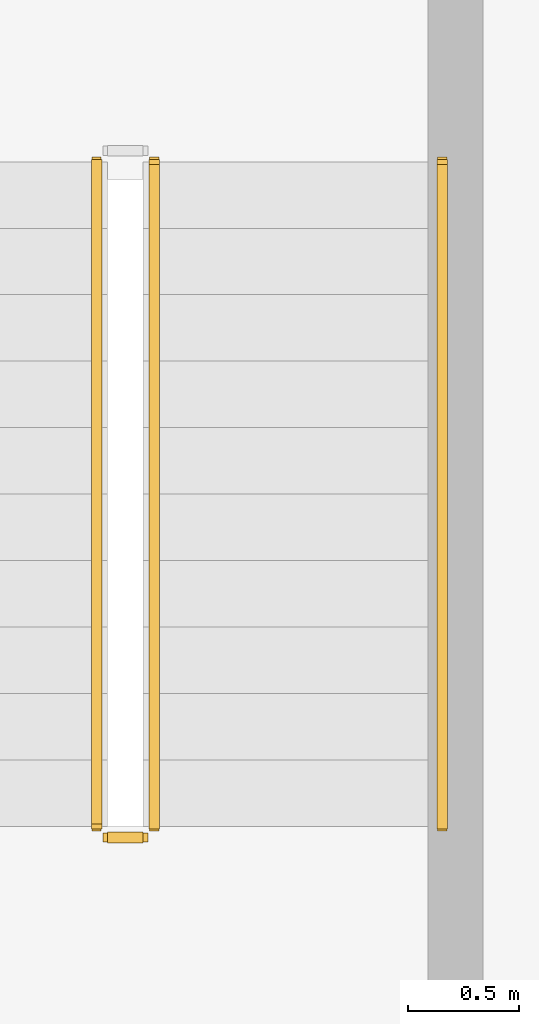
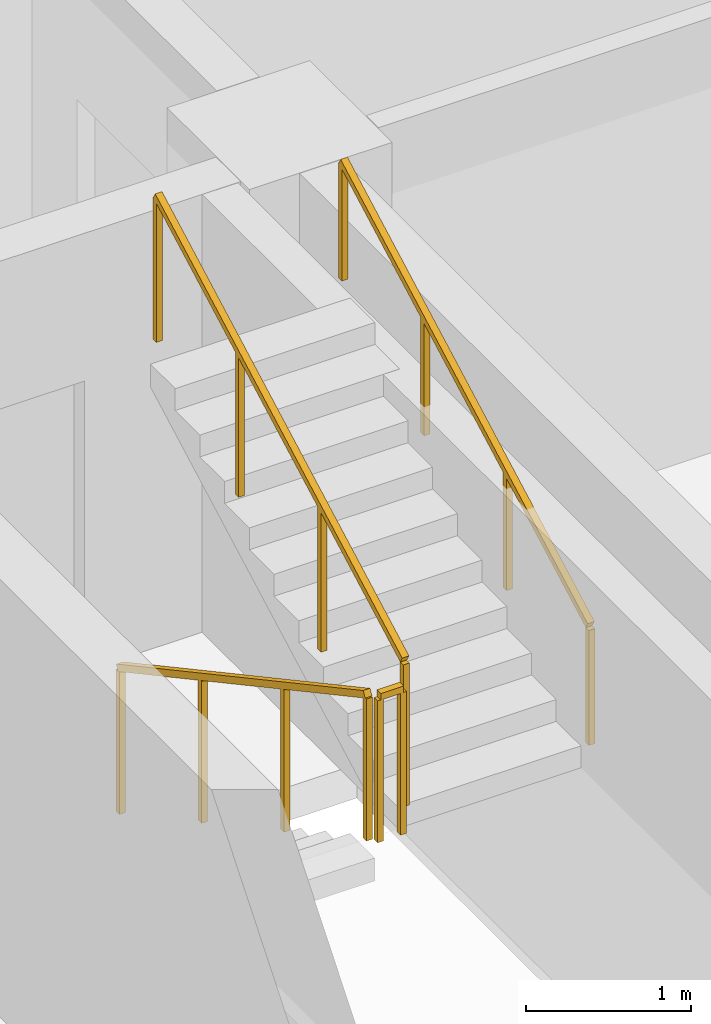
# One storey, part 10 of 15: 4 railings.
"""IFC4 building model written with IfcOpenShell, lengths in metres."""

from ifc_helpers import new_model, si_unit, direction, frame, origin, origin_2d, place, context, subcontext, project, spatial, rectangle, extrude, material, type_object, element, save


model = new_model("IFC4")

# Units and contexts
model_context = context("Model", 3, precision=1e-05, world=origin(), true_north=direction((0.0, 1.0)))
body_context = subcontext(model_context, "Body", "Model", "MODEL_VIEW")
ifc_project = project(units=[si_unit("LENGTHUNIT", "METRE"), si_unit("AREAUNIT", "SQUARE_METRE"), si_unit("VOLUMEUNIT", "CUBIC_METRE"), si_unit("PLANEANGLEUNIT", "RADIAN"), si_unit("MASSUNIT", "GRAM", prefix="KILO")], contexts=[model_context])

# Site, building, storey
site_placement = place(None, origin())
site = spatial("IfcSite", under=ifc_project, at=site_placement, CompositionType="ELEMENT")
building_placement = place(site_placement, origin())
building = spatial("IfcBuilding", under=site, at=building_placement, Name="Zulmaris Gate Convention Tower", CompositionType="ELEMENT")
storey_placement = place(building_placement, frame((0.0, 0.0, 139.199951171875)))
storey = spatial("IfcBuildingStorey", under=building, at=storey_placement, Name="L35", CompositionType="ELEMENT", Elevation=139.199951171875)

# Railings
ifc_material_1 = material(Name="Painted Galvanised Steel", Category="steel")
railing_type_1 = type_object("IfcRailingType", Name="RL-STG-1150", PredefinedType="GUARDRAIL", material=ifc_material_1)
railing_1_placement = place(storey_placement, frame((-13.27001953125, -2.0, 0.162353515625)))
element("IfcRailing", 1, at=railing_1_placement, inside=storey, type_object=railing_type_1, Name="L35 ST-1 stair guard 1", PredefinedType="GUARDRAIL", context=body_context, shape_type="SweptSolid", body=[
    extrude(rectangle(XDim=0.048095703125, YDim=0.048095703125, at=origin_2d()), frame((0.0, 0.0, 1.076171875), z_axis=(0.0, -0.879591569277, 0.475729619907), x_axis=(1.0, 0.0, 0.0)), (0.0, 0.0, 1.0), 3.41064453125),
    extrude(rectangle(XDim=0.0419921875, YDim=0.0419921875, at=origin_2d()), origin(), (0.0, 0.0, 1.0), 1.052001953125),
    extrude(rectangle(XDim=0.0419921875, YDim=0.0419921875, at=origin_2d()), frame((0.0, -1.0, 0.540771484375)), (0.0, 0.0, 1.0), 1.052001953125),
    extrude(rectangle(XDim=0.0419921875, YDim=0.0419921875, at=origin_2d()), frame((0.0, -2.0, 1.081787109375)), (0.0, 0.0, 1.0), 1.052001953125),
    extrude(rectangle(XDim=0.0419921875, YDim=0.0419921875, at=origin_2d()), frame((0.0, -3.0, 1.62255859375)), (0.0, 0.0, 1.0), 1.052001953125),
])
railing_2_placement = place(storey_placement, frame((-13.219970703125, -5.050048828125, 1.784912109375)))
element("IfcRailing", 2, at=railing_2_placement, inside=storey, type_object=railing_type_1, Name="L35 ST-1 stair guard 2", PredefinedType="GUARDRAIL", context=body_context, shape_type="SweptSolid", body=[
    extrude(rectangle(XDim=0.048095703125, YDim=0.048095703125, at=origin_2d()), frame((0.0, 0.0, 1.076171875), z_axis=(1.0, 0.0, 0.0), x_axis=(0.0, 1.0, 0.0)), (0.0, 0.0, 1.0), 0.159912109375),
    extrude(rectangle(XDim=0.0419921875, YDim=0.0419921875, at=origin_2d()), origin(), (0.0, 0.0, 1.0), 1.052001953125),
    extrude(rectangle(XDim=0.0419921875, YDim=0.0419921875, at=origin_2d()), frame((0.159912109375, 0.0, 0.0)), (0.0, 0.0, 1.0), 1.052001953125),
])
railing_3_placement = place(storey_placement, frame((-13.010009765625, -5.0, 1.947265625)))
element("IfcRailing", 3, at=railing_3_placement, inside=storey, type_object=railing_type_1, Name="L35 ST-1 stair guard 3", PredefinedType="GUARDRAIL", context=body_context, shape_type="SweptSolid", body=[
    extrude(rectangle(XDim=0.048095703125, YDim=0.048095703125, at=origin_2d()), frame((0.0, 0.0, 1.076171875), z_axis=(0.0, 0.879591569277, 0.475729619907), x_axis=(-1.0, 0.0, 0.0)), (0.0, 0.0, 1.0), 3.41064453125),
    extrude(rectangle(XDim=0.0419921875, YDim=0.0419921875, at=origin_2d()), origin(), (0.0, 0.0, 1.0), 1.052001953125),
    extrude(rectangle(XDim=0.0419921875, YDim=0.0419921875, at=origin_2d()), frame((0.0, 1.0, 0.540771484375)), (0.0, 0.0, 1.0), 1.052001953125),
    extrude(rectangle(XDim=0.0419921875, YDim=0.0419921875, at=origin_2d()), frame((0.0, 2.0, 1.081787109375)), (0.0, 0.0, 1.0), 1.052001953125),
    extrude(rectangle(XDim=0.0419921875, YDim=0.0419921875, at=origin_2d()), frame((0.0, 3.0, 1.62255859375)), (0.0, 0.0, 1.0), 1.052001953125),
])
ifc_material_2 = material(Name="Brushed Stainless Steel", Category="steel")
railing_type_2 = type_object("IfcRailingType", Name="RL-STH-900", PredefinedType="HANDRAIL", material=ifc_material_2)
railing_4_placement = place(storey_placement, frame((-11.7099609375, -5.0, 1.947265625)))
element("IfcRailing", 4, at=railing_4_placement, inside=storey, type_object=railing_type_2, Name="L35 ST-1 stair handrail 2", PredefinedType="HANDRAIL", context=body_context, shape_type="SweptSolid", body=[
    extrude(rectangle(XDim=0.048095703125, YDim=0.048095703125, at=origin_2d()), frame((0.0, 0.0, 0.8759765625), z_axis=(0.0, 0.879591569277, 0.475729619907), x_axis=(-1.0, 0.0, 0.0)), (0.0, 0.0, 1.0), 3.41064453125),
    extrude(rectangle(XDim=0.0419921875, YDim=0.0419921875, at=origin_2d()), origin(), (0.0, 0.0, 1.0), 0.851806640625),
    extrude(rectangle(XDim=0.0419921875, YDim=0.0419921875, at=origin_2d()), frame((0.0, 1.0, 0.540771484375)), (0.0, 0.0, 1.0), 0.851806640625),
    extrude(rectangle(XDim=0.0419921875, YDim=0.0419921875, at=origin_2d()), frame((0.0, 2.0, 1.081787109375)), (0.0, 0.0, 1.0), 0.851806640625),
    extrude(rectangle(XDim=0.0419921875, YDim=0.0419921875, at=origin_2d()), frame((0.0, 3.0, 1.62255859375)), (0.0, 0.0, 1.0), 0.851806640625),
])

save(model, "model.ifc")
